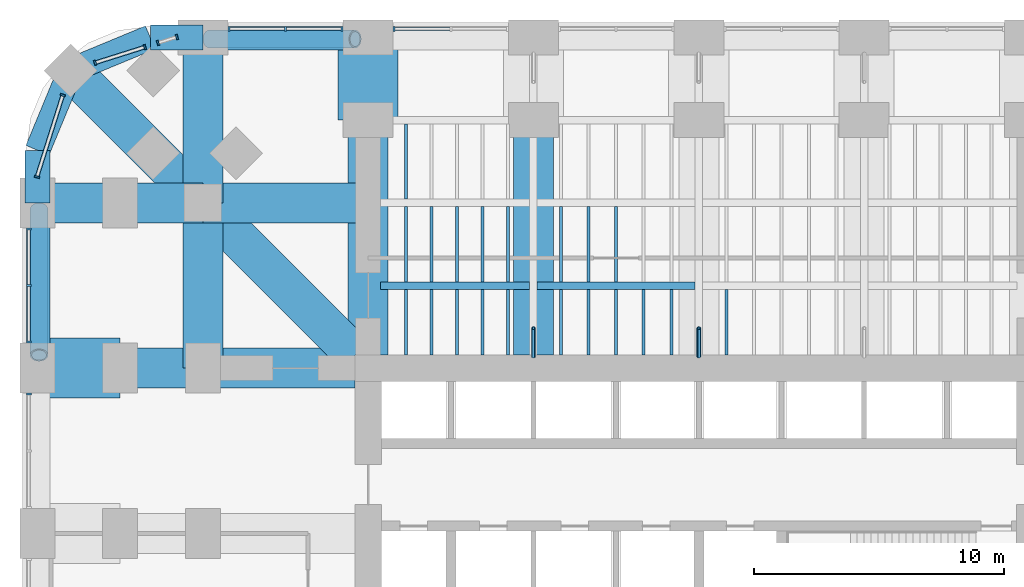
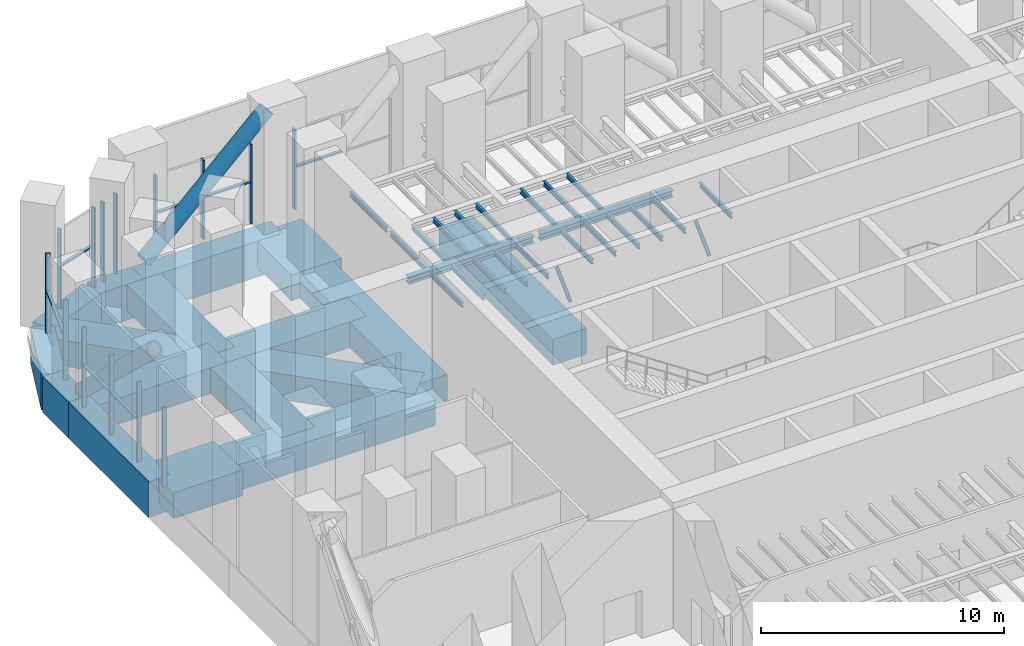
# One storey, part 7 of 17: 39 beams, 25 members, 7 elements without a shape of their own.
"""IFC4 building model written with IfcOpenShell, lengths in metres."""

from ifc_helpers import new_model, si_unit, direction, frame, origin, origin_2d, place, context, subcontext, project, spatial, rectangle, hollow_circle, i_section, extrude, material, material_profile, profile_set, type_object, element, aggregate, save


model = new_model("IFC4")

# Units and contexts
model_context = context("Model", 3, precision=1e-05, world=origin(), true_north=direction((0.0, 1.0)))
body_context = subcontext(model_context, "Body", "Model", "MODEL_VIEW")
ifc_project = project(units=[si_unit("LENGTHUNIT", "METRE"), si_unit("AREAUNIT", "SQUARE_METRE"), si_unit("VOLUMEUNIT", "CUBIC_METRE"), si_unit("PLANEANGLEUNIT", "RADIAN"), si_unit("MASSUNIT", "GRAM", prefix="KILO")], contexts=[model_context])

# Site, building, storey
site_placement = place(None, origin())
site = spatial("IfcSite", under=ifc_project, at=site_placement, CompositionType="ELEMENT")
building_placement = place(site_placement, origin())
building = spatial("IfcBuilding", under=site, at=building_placement, Name="Cobogo Forest Laboratory Tower", CompositionType="ELEMENT")
storey_placement = place(building_placement, frame((0.0, 0.0, 75.89990234375)))
storey = spatial("IfcBuildingStorey", under=building, at=storey_placement, Name="L17", CompositionType="ELEMENT", Elevation=75.89990234375)

# Members
ifc_material_1 = material(Name="Steel S460NH", Category="steel")
ifc_material_profile_1 = material_profile(ifc_material_1, hollow_circle(Radius=0.35546875, WallThickness=0.06005859375, at=origin_2d()), Name="CHS 711x60")
ifc_profile_set_1 = profile_set([ifc_material_profile_1], Name="Steel S460NH")
member_type_1 = type_object("IfcMemberType", Name="Belt truss diagonal CHS 711x60", PredefinedType="BRACE", material=ifc_profile_set_1)
for number, where, z_axis, x_axis, name in (
    (1, (6.85009765625, 46.139892578125, 0.23876953125), (0.723349354665, 0.0, 0.69048223084), (0.0, 1.0, 0.0), "BT1 belt truss diagonal N13 L17"),
    (2, (0.06005859375, 39.35009765625, 0.23876953125), (0.0, -0.723363796511, 0.690467101242), (1.0, 0.0, 0.0), "BT1 belt truss diagonal W24 L17"),
):
    element("IfcMember", number, at=place(storey_placement, frame(where, z_axis=z_axis, x_axis=x_axis)), inside=storey, type_object=member_type_1, Name=name, PredefinedType="BRACE", context=body_context, shape_type="SweptSolid", body=[
        extrude(hollow_circle(Radius=0.35546875, WallThickness=0.06005859375, at=origin_2d()), origin(), (0.0, 0.0, 1.0), 8.0595703125),
    ])

# Curtain wall, member
ifc_material_2 = material(Name="Aluminium curtain wall", Category="aluminium")
curtain_wall_type = type_object("IfcCurtainWallType", Name="CW-P louvred curtain wall, plant floors", PredefinedType="USERDEFINED", material=ifc_material_2)
curtain_wall_1_placement = place(storey_placement, origin())
curtain_wall_1 = element("IfcCurtainWall", 3, at=curtain_wall_1_placement, inside=storey, type_object=curtain_wall_type, Name="Curtain wall 22 L17", ObjectType="LOUVRED CURTAIN WALL", PredefinedType="USERDEFINED")
ifc_material_3 = material(Name="Aluminium mullion", Category="aluminium")
ifc_material_profile_2 = material_profile(ifc_material_3, rectangle(XDim=0.080078125, YDim=0.199951171875, at=origin_2d()), Name="AL 80x200")
ifc_profile_set_2 = profile_set([ifc_material_profile_2], Name="Aluminium mullion")
member_type_2 = type_object("IfcMemberType", Name="MU-3 aluminium louvre mullion 80x200", PredefinedType="MULLION", material=ifc_profile_set_2)
member_1_placement = place(storey_placement, frame((14.239990234375, 46.550048828125, 0.0), z_axis=(0.0, 0.0, 1.0), x_axis=(-1.0, 0.0, 0.0)))
member_1 = element("IfcMember", 4, at=member_1_placement, type_object=member_type_2, Name="CW-P mullion 3", PredefinedType="MULLION", context=body_context, shape_type="SweptSolid", body=[
    extrude(rectangle(XDim=0.080078125, YDim=0.199951171875, at=origin_2d()), origin(), (0.0, 0.0, 1.0), 4.0),
])

# Curtain wall, members
curtain_wall_2_placement = place(storey_placement, origin())
curtain_wall_2 = element("IfcCurtainWall", 5, at=curtain_wall_2_placement, inside=storey, type_object=curtain_wall_type, Name="Curtain wall 23 L17", ObjectType="LOUVRED CURTAIN WALL", PredefinedType="USERDEFINED")
member_2_placement = place(storey_placement, frame((12.159912109375, 46.550048828125, 0.0), z_axis=(0.0, 0.0, 1.0), x_axis=(-1.0, 0.0, 0.0)))
member_2 = element("IfcMember", 6, at=member_2_placement, type_object=member_type_2, Name="CW-P mullion 1", PredefinedType="MULLION", context=body_context, shape_type="SweptSolid", body=[
    extrude(rectangle(XDim=0.080078125, YDim=0.199951171875, at=origin_2d()), origin(), (0.0, 0.0, 1.0), 4.0),
])
member_3_placement = place(storey_placement, frame((9.89990234375, 46.550048828125, 0.0), z_axis=(0.0, 0.0, 1.0), x_axis=(-1.0, 0.0, 0.0)))
member_3 = element("IfcMember", 7, at=member_3_placement, type_object=member_type_2, Name="CW-P mullion 2", PredefinedType="MULLION", context=body_context, shape_type="SweptSolid", body=[
    extrude(rectangle(XDim=0.080078125, YDim=0.199951171875, at=origin_2d()), origin(), (0.0, 0.0, 1.0), 4.0),
])
member_4_placement = place(storey_placement, frame((7.639892578125, 46.550048828125, 0.0), z_axis=(0.0, 0.0, 1.0), x_axis=(-1.0, 0.0, 0.0)))
member_4 = element("IfcMember", 8, at=member_4_placement, type_object=member_type_2, Name="CW-P mullion 3", PredefinedType="MULLION", context=body_context, shape_type="SweptSolid", body=[
    extrude(rectangle(XDim=0.080078125, YDim=0.199951171875, at=origin_2d()), origin(), (0.0, 0.0, 1.0), 4.0),
])

curtain_wall_3_placement = place(storey_placement, origin())
curtain_wall_3 = element("IfcCurtainWall", 9, at=curtain_wall_3_placement, inside=storey, type_object=curtain_wall_type, Name="Curtain wall 24 L17", ObjectType="LOUVRED CURTAIN WALL", PredefinedType="USERDEFINED")
member_5_placement = place(storey_placement, frame((5.561767578125, 46.22216796875, 0.0), z_axis=(0.0, 0.0, 1.0), x_axis=(-0.953581151143, -0.301136162199, 0.0)))
member_5 = element("IfcMember", 10, at=member_5_placement, type_object=member_type_2, Name="CW-P mullion 1", PredefinedType="MULLION", context=body_context, shape_type="SweptSolid", body=[
    extrude(rectangle(XDim=0.080078125, YDim=0.199951171875, at=origin_2d()), origin(), (0.0, 0.0, 1.0), 4.0),
])
member_6_placement = place(storey_placement, frame((4.81005859375, 45.984619140625, 0.0), z_axis=(0.0, 0.0, 1.0), x_axis=(-0.953581151143, -0.301136162199, 0.0)))
member_6 = element("IfcMember", 11, at=member_6_placement, type_object=member_type_2, Name="CW-P mullion 2", PredefinedType="MULLION", context=body_context, shape_type="SweptSolid", body=[
    extrude(rectangle(XDim=0.080078125, YDim=0.199951171875, at=origin_2d()), origin(), (0.0, 0.0, 1.0), 4.0),
])
aggregate(curtain_wall_3, [member_5, member_6])

curtain_wall_4_placement = place(storey_placement, origin())
curtain_wall_4 = element("IfcCurtainWall", 12, at=curtain_wall_4_placement, inside=storey, type_object=curtain_wall_type, Name="Curtain wall 25 L17", ObjectType="LOUVRED CURTAIN WALL", PredefinedType="USERDEFINED")
member_7_placement = place(storey_placement, frame((4.2841796875, 45.818603515625, 0.0), z_axis=(0.0, 0.0, 1.0), x_axis=(-0.953581348836, -0.301135536184, 0.0)))
member_7 = element("IfcMember", 13, at=member_7_placement, type_object=member_type_2, Name="CW-P mullion 1", PredefinedType="MULLION", context=body_context, shape_type="SweptSolid", body=[
    extrude(rectangle(XDim=0.080078125, YDim=0.199951171875, at=origin_2d()), origin(), (0.0, 0.0, 1.0), 4.0),
])
member_8_placement = place(storey_placement, frame((2.302001953125, 45.192626953125, 0.0), z_axis=(0.0, 0.0, 1.0), x_axis=(-0.953581348836, -0.301135536184, 0.0)))
member_8 = element("IfcMember", 14, at=member_8_placement, type_object=member_type_2, Name="CW-P mullion 2", PredefinedType="MULLION", context=body_context, shape_type="SweptSolid", body=[
    extrude(rectangle(XDim=0.080078125, YDim=0.199951171875, at=origin_2d()), origin(), (0.0, 0.0, 1.0), 4.0),
])

curtain_wall_5_placement = place(storey_placement, origin())
curtain_wall_5 = element("IfcCurtainWall", 15, at=curtain_wall_5_placement, inside=storey, type_object=curtain_wall_type, Name="Curtain wall 26 L17", ObjectType="LOUVRED CURTAIN WALL", PredefinedType="USERDEFINED")
member_9_placement = place(storey_placement, frame((1.00732421875, 43.89794921875, 0.0), z_axis=(0.0, 0.0, 1.0), x_axis=(-0.301135635976, -0.953581317322, 0.0)))
member_9 = element("IfcMember", 16, at=member_9_placement, type_object=member_type_2, Name="CW-P mullion 1", PredefinedType="MULLION", context=body_context, shape_type="SweptSolid", body=[
    extrude(rectangle(XDim=0.080078125, YDim=0.199951171875, at=origin_2d()), origin(), (0.0, 0.0, 1.0), 4.0),
])
member_10_placement = place(storey_placement, frame((-0.022216796875, 40.63818359375, 0.0), z_axis=(0.0, 0.0, 1.0), x_axis=(-0.301135635976, -0.953581317322, 0.0)))
member_10 = element("IfcMember", 17, at=member_10_placement, type_object=member_type_2, Name="CW-P mullion 2", PredefinedType="MULLION", context=body_context, shape_type="SweptSolid", body=[
    extrude(rectangle(XDim=0.080078125, YDim=0.199951171875, at=origin_2d()), origin(), (0.0, 0.0, 1.0), 4.0),
])

curtain_wall_6_placement = place(storey_placement, origin())
curtain_wall_6 = element("IfcCurtainWall", 18, at=curtain_wall_6_placement, inside=storey, type_object=curtain_wall_type, Name="Curtain wall 27 L17", ObjectType="LOUVRED CURTAIN WALL", PredefinedType="USERDEFINED")
member_11_placement = place(storey_placement, frame((-0.35009765625, 38.56005859375, 0.0), z_axis=(0.0, 0.0, 1.0), x_axis=(0.0, -1.0, 0.0)))
member_11 = element("IfcMember", 19, at=member_11_placement, type_object=member_type_2, Name="CW-P mullion 1", PredefinedType="MULLION", context=body_context, shape_type="SweptSolid", body=[
    extrude(rectangle(XDim=0.080078125, YDim=0.199951171875, at=origin_2d()), origin(), (0.0, 0.0, 1.0), 4.0),
])
member_12_placement = place(storey_placement, frame((-0.35009765625, 36.300048828125, 0.0), z_axis=(0.0, 0.0, 1.0), x_axis=(0.0, -1.0, 0.0)))
member_12 = element("IfcMember", 20, at=member_12_placement, type_object=member_type_2, Name="CW-P mullion 2", PredefinedType="MULLION", context=body_context, shape_type="SweptSolid", body=[
    extrude(rectangle(XDim=0.080078125, YDim=0.199951171875, at=origin_2d()), origin(), (0.0, 0.0, 1.0), 4.0),
])
member_13_placement = place(storey_placement, frame((-0.35009765625, 34.0400390625, 0.0), z_axis=(0.0, 0.0, 1.0), x_axis=(0.0, -1.0, 0.0)))
member_13 = element("IfcMember", 21, at=member_13_placement, type_object=member_type_2, Name="CW-P mullion 3", PredefinedType="MULLION", context=body_context, shape_type="SweptSolid", body=[
    extrude(rectangle(XDim=0.080078125, YDim=0.199951171875, at=origin_2d()), origin(), (0.0, 0.0, 1.0), 4.0),
])

# Curtain wall, member
curtain_wall_7_placement = place(storey_placement, origin())
curtain_wall_7 = element("IfcCurtainWall", 22, at=curtain_wall_7_placement, inside=storey, type_object=curtain_wall_type, Name="Curtain wall 28 L17", ObjectType="LOUVRED CURTAIN WALL", PredefinedType="USERDEFINED")
member_14_placement = place(storey_placement, frame((-0.35009765625, 31.9599609375, 0.0), z_axis=(0.0, 0.0, 1.0), x_axis=(0.0, -1.0, 0.0)))
member_14 = element("IfcMember", 23, at=member_14_placement, type_object=member_type_2, Name="CW-P mullion 1", PredefinedType="MULLION", context=body_context, shape_type="SweptSolid", body=[
    extrude(rectangle(XDim=0.080078125, YDim=0.199951171875, at=origin_2d()), origin(), (0.0, 0.0, 1.0), 4.0),
])
aggregate(curtain_wall_7, [member_14])

# Beams
ifc_material_4 = material(Name="Concrete HA-40 (C40/50)", Category="concrete")
ifc_material_profile_3 = material_profile(ifc_material_4, rectangle(XDim=1.60009765625, YDim=1.300048828125, at=origin_2d()), Name="RC 1600x1300")
ifc_profile_set_3 = profile_set([ifc_material_profile_3], Name="Concrete HA-40 (C40/50)")
beam_type_1 = type_object("IfcBeamType", Name="Plant and roof garden wide beam 1600x1300", PredefinedType="BEAM", material=ifc_profile_set_3)
for number, where, z_axis, x_axis, name in (
    (24, (13.199951171875, 33.52490234375, -1.0), (0.0, 1.0, 0.0), (-1.0, 0.0, 0.0), "RB4 R-3-N L17"),
    (25, (19.800048828125, 33.52490234375, -1.0), (0.0, 1.0, 0.0), (-1.0, 0.0, 0.0), "RB4 R-4-N L17"),
    (26, (12.675048828125, 33.0, -1.0), (-1.0, 0.0, 0.0), (0.0, -1.0, 0.0), "RB4 R-F-W L17"),
):
    element("IfcBeam", number, at=place(storey_placement, frame(where, z_axis=z_axis, x_axis=x_axis)), inside=storey, type_object=beam_type_1, Name=name, PredefinedType="BEAM", context=body_context, shape_type="SweptSolid", body=[
        extrude(rectangle(XDim=1.60009765625, YDim=1.300048828125, at=origin_2d()), origin(), (0.0, 0.0, 1.0), 9.375),
    ])
beam_1_placement = place(storey_placement, frame((6.60009765625, 46.199951171875, -1.0), z_axis=(0.0, -1.0, 0.0), x_axis=(1.0, 0.0, 0.0)))
element("IfcBeam", 27, at=beam_1_placement, inside=storey, type_object=beam_type_1, Name="RB4 G-NW-XF L17", PredefinedType="BEAM", context=body_context, shape_type="SweptSolid", body=[
    extrude(rectangle(XDim=1.60009765625, YDim=1.300048828125, at=origin_2d()), origin(), (0.0, 0.0, 1.0), 6.599853515625),
])
for number, where, z_axis, x_axis, name in (
    (28, (6.60009765625, 39.60009765625, -1.0), (0.0, -1.0, 0.0), (1.0, 0.0, 0.0), "RB4 G-NW-XC L17"),
    (29, (0.0, 39.60009765625, -1.0), (1.0, 0.0, 0.0), (0.0, 1.0, 0.0), "RB4 G-NW-YF L17"),
):
    element("IfcBeam", number, at=place(storey_placement, frame(where, z_axis=z_axis, x_axis=x_axis)), inside=storey, type_object=beam_type_1, Name=name, PredefinedType="BEAM", context=body_context, shape_type="SweptSolid", body=[
        extrude(rectangle(XDim=1.60009765625, YDim=1.300048828125, at=origin_2d()), origin(), (0.0, 0.0, 1.0), 6.60009765625),
    ])
beam_2_placement = place(storey_placement, frame((6.60009765625, 39.60009765625, -1.0), z_axis=(1.0, 0.0, 0.0), x_axis=(0.0, 1.0, 0.0)))
element("IfcBeam", 30, at=beam_2_placement, inside=storey, type_object=beam_type_1, Name="RB4 G-NW-YC L17", PredefinedType="BEAM", context=body_context, shape_type="SweptSolid", body=[
    extrude(rectangle(XDim=1.60009765625, YDim=1.300048828125, at=origin_2d()), origin(), (0.0, 0.0, 1.0), 6.599853515625),
])
beam_3_placement = place(storey_placement, frame((1.318115234375, 44.882080078125, -1.0), z_axis=(0.707106781187, -0.707106781187, 0.0), x_axis=(0.707106781187, 0.707106781187, 0.0)))
element("IfcBeam", 31, at=beam_3_placement, inside=storey, type_object=beam_type_1, Name="RB4 G-NW-D1 L17", PredefinedType="BEAM", context=body_context, shape_type="SweptSolid", body=[
    extrude(rectangle(XDim=1.60009765625, YDim=1.300048828125, at=origin_2d()), origin(), (0.0, 0.0, 1.0), 7.469970703125),
])
beam_4_placement = place(storey_placement, frame((6.60009765625, 39.60009765625, -1.0), z_axis=(0.707092572697, -0.70712098939, 0.0), x_axis=(0.70712098939, 0.707092572697, 0.0)))
element("IfcBeam", 32, at=beam_4_placement, inside=storey, type_object=beam_type_1, Name="RB4 G-NW-D2 L17", PredefinedType="BEAM", context=body_context, shape_type="SweptSolid", body=[
    extrude(rectangle(XDim=1.60009765625, YDim=1.300048828125, at=origin_2d()), origin(), (0.0, 0.0, 1.0), 8.591552734375),
])
ifc_material_5 = material(Name="Concrete HA-50 (C50/60)", Category="concrete")
ifc_material_profile_4 = material_profile(ifc_material_5, rectangle(XDim=2.39990234375, YDim=1.300048828125, at=origin_2d()), Name="RC 2400x1300")
ifc_profile_set_4 = profile_set([ifc_material_profile_4], Name="Concrete HA-50 (C50/60)")
beam_type_2 = type_object("IfcBeamType", Name="Plant floor end-bay beam 2400x1300", PredefinedType="BEAM", material=ifc_profile_set_4)
for number, where, z_axis, x_axis, name in (
    (33, (13.199951171875, 46.199951171875, -1.0), (0.0, -1.0, 0.0), (1.0, 0.0, 0.0), "RB6 R-3-N-X L17"),
    (34, (0.0, 33.0, -1.0), (1.0, 0.0, 0.0), (0.0, 1.0, 0.0), "RB6 R-F-W-X L17"),
):
    element("IfcBeam", number, at=place(storey_placement, frame(where, z_axis=z_axis, x_axis=x_axis)), inside=storey, type_object=beam_type_2, Name=name, PredefinedType="BEAM", context=body_context, shape_type="SweptSolid", body=[
        extrude(rectangle(XDim=2.39990234375, YDim=1.300048828125, at=origin_2d()), origin(), (0.0, 0.0, 1.0), 3.300048828125),
    ])
ifc_material_profile_5 = material_profile(ifc_material_4, rectangle(XDim=1.0, YDim=1.800048828125, at=origin_2d()), Name="RC 1000x1800")
ifc_profile_set_5 = profile_set([ifc_material_profile_5], Name="Concrete HA-40 (C40/50)")
beam_type_3 = type_object("IfcBeamType", Name="Plant floor perimeter girder 1000x1800", PredefinedType="BEAM", material=ifc_profile_set_5)
beam_5_placement = place(storey_placement, frame((6.60009765625, 46.199951171875, -1.25), z_axis=(1.0, 0.0, 0.0), x_axis=(0.0, 1.0, 0.0)))
element("IfcBeam", 35, at=beam_5_placement, inside=storey, type_object=beam_type_3, Name="TG1 E-N1 L17", PredefinedType="BEAM", context=body_context, shape_type="SweptSolid", body=[
    extrude(rectangle(XDim=1.0, YDim=1.800048828125, at=origin_2d()), origin(), (0.0, 0.0, 1.0), 6.599853515625),
])
beam_6_placement = place(storey_placement, frame((0.0, 33.0, -1.25), z_axis=(0.0, 1.0, 0.0), x_axis=(-1.0, 0.0, 0.0)))
element("IfcBeam", 36, at=beam_6_placement, inside=storey, type_object=beam_type_3, Name="TG1 E-W5 L17", PredefinedType="BEAM", context=body_context, shape_type="SweptSolid", body=[
    extrude(rectangle(XDim=1.0, YDim=1.800048828125, at=origin_2d()), origin(), (0.0, 0.0, 1.0), 6.60009765625),
])
beam_7_placement = place(storey_placement, frame((6.60009765625, 46.199951171875, -1.25), z_axis=(-1.0, 0.0, 0.0), x_axis=(0.0, -1.0, 0.0)))
element("IfcBeam", 37, at=beam_7_placement, inside=storey, type_object=beam_type_3, Name="TG1 E-NWN1 L17", PredefinedType="BEAM", context=body_context, shape_type="SweptSolid", body=[
    extrude(rectangle(XDim=1.0, YDim=1.800048828125, at=origin_2d()), origin(), (0.0, 0.0, 1.0), 2.10009765625),
])
beam_8_placement = place(storey_placement, frame((4.5, 46.199951171875, -1.25), z_axis=(-0.923890694089, -0.382656484822, 0.0), x_axis=(0.382656484822, -0.923890694089, 0.0)))
element("IfcBeam", 38, at=beam_8_placement, inside=storey, type_object=beam_type_3, Name="TG1 E-NWN2 L17", PredefinedType="BEAM", context=body_context, shape_type="SweptSolid", body=[
    extrude(rectangle(XDim=1.0, YDim=1.800048828125, at=origin_2d()), origin(), (0.0, 0.0, 1.0), 3.444091796875),
])
beam_9_placement = place(storey_placement, frame((0.0, 39.60009765625, -1.25), z_axis=(0.0, 1.0, 0.0), x_axis=(-1.0, 0.0, 0.0)))
element("IfcBeam", 39, at=beam_9_placement, inside=storey, type_object=beam_type_3, Name="TG1 E-NWW1 L17", PredefinedType="BEAM", context=body_context, shape_type="SweptSolid", body=[
    extrude(rectangle(XDim=1.0, YDim=1.800048828125, at=origin_2d()), origin(), (0.0, 0.0, 1.0), 2.099853515625),
])
beam_10_placement = place(storey_placement, frame((0.0, 41.699951171875, -1.25), z_axis=(0.382691928466, 0.923876013265, 0.0), x_axis=(-0.923876013265, 0.382691928466, 0.0)))
element("IfcBeam", 40, at=beam_10_placement, inside=storey, type_object=beam_type_3, Name="TG1 E-NWW2 L17", PredefinedType="BEAM", context=body_context, shape_type="SweptSolid", body=[
    extrude(rectangle(XDim=1.0, YDim=1.800048828125, at=origin_2d()), origin(), (0.0, 0.0, 1.0), 3.4443359375),
])

# Members
ifc_material_6 = material(Name="Steel S355", Category="steel")
ifc_material_profile_6 = material_profile(ifc_material_6, hollow_circle(Radius=0.084228515625, WallThickness=0.008056640625, at=origin_2d()), Name="CHS 168.3x8")
ifc_profile_set_6 = profile_set([ifc_material_profile_6], Name="Steel S355")
member_type_3 = type_object("IfcMemberType", Name="Plant knee brace CHS 168.3x8", PredefinedType="BRACE", material=ifc_profile_set_6)
for number, where, z_axis, x_axis, name in (
    (41, (19.800048828125, 33.465576171875, 1.300048828125), (0.0, 0.727221301203, 0.686403073329), (-1.0, 0.0, 0.0), "PX1 AHU-N knee brace 4-2 L17"),
    (42, (26.39990234375, 33.465576171875, 1.300048828125), (0.0, 0.727221301203, 0.686403073329), (-1.0, 0.0, 0.0), "PX1 AHU-N knee brace 5-2 L17"),
):
    element("IfcMember", number, at=place(storey_placement, frame(where, z_axis=z_axis, x_axis=x_axis)), inside=storey, type_object=member_type_3, Name=name, PredefinedType="BRACE", context=body_context, shape_type="SweptSolid", body=[
        extrude(hollow_circle(Radius=0.084228515625, WallThickness=0.008056640625, at=origin_2d()), origin(), (0.0, 0.0, 1.0), 1.56103515625),
    ])

# Beams
ifc_material_profile_7 = material_profile(ifc_material_6, i_section(OverallWidth=0.300048828125, OverallDepth=0.330078125, WebThickness=0.009521484375, FlangeThickness=0.0166015625, FilletRadius=0.027099609375, at=origin_2d()), Name="HEA 340")
ifc_profile_set_7 = profile_set([ifc_material_profile_7], Name="Steel S355")
beam_type_4 = type_object("IfcBeamType", Name="Plant platform beam HEA 340", PredefinedType="BEAM", material=ifc_profile_set_7)
beam_11_placement = place(storey_placement, frame((13.699951171875, 36.300048828125, 2.835205078125), z_axis=(1.0, 0.0, 0.0), x_axis=(0.0, 1.0, 0.0)))
element("IfcBeam", 43, at=beam_11_placement, inside=storey, type_object=beam_type_4, Name="PB1 AHU-N platform beam 1 at 9900 L17", PredefinedType="BEAM", context=body_context, shape_type="SweptSolid", body=[
    extrude(i_section(OverallWidth=0.300048828125, OverallDepth=0.330078125, WebThickness=0.009521484375, FlangeThickness=0.0166015625, FilletRadius=0.027099609375, at=origin_2d()), origin(), (0.0, 0.0, 1.0), 5.949951171875),
])
beam_12_placement = place(storey_placement, frame((19.949951171875, 36.300048828125, 2.835205078125), z_axis=(1.0, 0.0, 0.0), x_axis=(0.0, 1.0, 0.0)))
element("IfcBeam", 44, at=beam_12_placement, inside=storey, type_object=beam_type_4, Name="PB1 AHU-N platform beam 2 at 9900 L17", PredefinedType="BEAM", context=body_context, shape_type="SweptSolid", body=[
    extrude(i_section(OverallWidth=0.300048828125, OverallDepth=0.330078125, WebThickness=0.009521484375, FlangeThickness=0.0166015625, FilletRadius=0.027099609375, at=origin_2d()), origin(), (0.0, 0.0, 1.0), 6.300048828125),
])
ifc_material_profile_8 = material_profile(ifc_material_6, i_section(OverallWidth=0.1201171875, OverallDepth=0.239990234375, WebThickness=0.006103515625, FlangeThickness=0.009765625, FilletRadius=0.014892578125, at=origin_2d()), Name="IPE 240")
ifc_profile_set_8 = profile_set([ifc_material_profile_8], Name="Steel S355")
beam_type_5 = type_object("IfcBeamType", Name="Plant platform joist IPE 240", PredefinedType="JOIST", material=ifc_profile_set_8)
for number, where, z_axis, x_axis, name in (
    (45, (14.716552734375, 42.75, 2.880126953125), (0.0, -1.0, 0.0), (1.0, 0.0, 0.0), "PJ1 AHU-N joist 1.1 row 1 L17"),
    (46, (14.716552734375, 39.449951171875, 2.880126953125), (0.0, -1.0, 0.0), (1.0, 0.0, 0.0), "PJ1 AHU-N joist 1.1 row 2 L17"),
):
    element("IfcBeam", number, at=place(storey_placement, frame(where, z_axis=z_axis, x_axis=x_axis)), inside=storey, type_object=beam_type_5, Name=name, PredefinedType="JOIST", context=body_context, shape_type="SweptSolid", body=[
        extrude(i_section(OverallWidth=0.1201171875, OverallDepth=0.239990234375, WebThickness=0.006103515625, FlangeThickness=0.009765625, FilletRadius=0.014892578125, at=origin_2d()), origin(), (0.0, 0.0, 1.0), 3.0),
    ])
beam_13_placement = place(storey_placement, frame((14.716552734375, 36.14990234375, 2.880126953125), z_axis=(0.0, -1.0, 0.0), x_axis=(1.0, 0.0, 0.0)))
element("IfcBeam", 47, at=beam_13_placement, inside=storey, type_object=beam_type_5, Name="PJ1 AHU-N joist 1.1 row 3 L17", PredefinedType="JOIST", context=body_context, shape_type="SweptSolid", body=[
    extrude(i_section(OverallWidth=0.1201171875, OverallDepth=0.239990234375, WebThickness=0.006103515625, FlangeThickness=0.009765625, FilletRadius=0.014892578125, at=origin_2d()), origin(), (0.0, 0.0, 1.0), 2.625),
])
beam_14_placement = place(storey_placement, frame((15.7333984375, 39.449951171875, 2.880126953125), z_axis=(0.0, -1.0, 0.0), x_axis=(1.0, 0.0, 0.0)))
element("IfcBeam", 48, at=beam_14_placement, inside=storey, type_object=beam_type_5, Name="PJ1 AHU-N joist 1.2 row 2 L17", PredefinedType="JOIST", context=body_context, shape_type="SweptSolid", body=[
    extrude(i_section(OverallWidth=0.1201171875, OverallDepth=0.239990234375, WebThickness=0.006103515625, FlangeThickness=0.009765625, FilletRadius=0.014892578125, at=origin_2d()), origin(), (0.0, 0.0, 1.0), 3.0),
])
beam_15_placement = place(storey_placement, frame((15.7333984375, 36.14990234375, 2.880126953125), z_axis=(0.0, -1.0, 0.0), x_axis=(1.0, 0.0, 0.0)))
element("IfcBeam", 49, at=beam_15_placement, inside=storey, type_object=beam_type_5, Name="PJ1 AHU-N joist 1.2 row 3 L17", PredefinedType="JOIST", context=body_context, shape_type="SweptSolid", body=[
    extrude(i_section(OverallWidth=0.1201171875, OverallDepth=0.239990234375, WebThickness=0.006103515625, FlangeThickness=0.009765625, FilletRadius=0.014892578125, at=origin_2d()), origin(), (0.0, 0.0, 1.0), 2.625),
])
beam_16_placement = place(storey_placement, frame((16.75, 39.449951171875, 2.880126953125), z_axis=(0.0, -1.0, 0.0), x_axis=(1.0, 0.0, 0.0)))
element("IfcBeam", 50, at=beam_16_placement, inside=storey, type_object=beam_type_5, Name="PJ1 AHU-N joist 1.3 row 2 L17", PredefinedType="JOIST", context=body_context, shape_type="SweptSolid", body=[
    extrude(i_section(OverallWidth=0.1201171875, OverallDepth=0.239990234375, WebThickness=0.006103515625, FlangeThickness=0.009765625, FilletRadius=0.014892578125, at=origin_2d()), origin(), (0.0, 0.0, 1.0), 3.0),
])
beam_17_placement = place(storey_placement, frame((16.75, 36.14990234375, 2.880126953125), z_axis=(0.0, -1.0, 0.0), x_axis=(1.0, 0.0, 0.0)))
element("IfcBeam", 51, at=beam_17_placement, inside=storey, type_object=beam_type_5, Name="PJ1 AHU-N joist 1.3 row 3 L17", PredefinedType="JOIST", context=body_context, shape_type="SweptSolid", body=[
    extrude(i_section(OverallWidth=0.1201171875, OverallDepth=0.239990234375, WebThickness=0.006103515625, FlangeThickness=0.009765625, FilletRadius=0.014892578125, at=origin_2d()), origin(), (0.0, 0.0, 1.0), 2.625),
])
beam_18_placement = place(storey_placement, frame((17.7666015625, 39.449951171875, 2.880126953125), z_axis=(0.0, -1.0, 0.0), x_axis=(1.0, 0.0, 0.0)))
element("IfcBeam", 52, at=beam_18_placement, inside=storey, type_object=beam_type_5, Name="PJ1 AHU-N joist 1.4 row 2 L17", PredefinedType="JOIST", context=body_context, shape_type="SweptSolid", body=[
    extrude(i_section(OverallWidth=0.1201171875, OverallDepth=0.239990234375, WebThickness=0.006103515625, FlangeThickness=0.009765625, FilletRadius=0.014892578125, at=origin_2d()), origin(), (0.0, 0.0, 1.0), 3.0),
])
beam_19_placement = place(storey_placement, frame((17.7666015625, 36.14990234375, 2.880126953125), z_axis=(0.0, -1.0, 0.0), x_axis=(1.0, 0.0, 0.0)))
element("IfcBeam", 53, at=beam_19_placement, inside=storey, type_object=beam_type_5, Name="PJ1 AHU-N joist 1.4 row 3 L17", PredefinedType="JOIST", context=body_context, shape_type="SweptSolid", body=[
    extrude(i_section(OverallWidth=0.1201171875, OverallDepth=0.239990234375, WebThickness=0.006103515625, FlangeThickness=0.009765625, FilletRadius=0.014892578125, at=origin_2d()), origin(), (0.0, 0.0, 1.0), 2.625),
])
beam_20_placement = place(storey_placement, frame((18.783447265625, 39.449951171875, 2.880126953125), z_axis=(0.0, -1.0, 0.0), x_axis=(1.0, 0.0, 0.0)))
element("IfcBeam", 54, at=beam_20_placement, inside=storey, type_object=beam_type_5, Name="PJ1 AHU-N joist 1.5 row 2 L17", PredefinedType="JOIST", context=body_context, shape_type="SweptSolid", body=[
    extrude(i_section(OverallWidth=0.1201171875, OverallDepth=0.239990234375, WebThickness=0.006103515625, FlangeThickness=0.009765625, FilletRadius=0.014892578125, at=origin_2d()), origin(), (0.0, 0.0, 1.0), 3.0),
])
beam_21_placement = place(storey_placement, frame((18.783447265625, 36.14990234375, 2.880126953125), z_axis=(0.0, -1.0, 0.0), x_axis=(1.0, 0.0, 0.0)))
element("IfcBeam", 55, at=beam_21_placement, inside=storey, type_object=beam_type_5, Name="PJ1 AHU-N joist 1.5 row 3 L17", PredefinedType="JOIST", context=body_context, shape_type="SweptSolid", body=[
    extrude(i_section(OverallWidth=0.1201171875, OverallDepth=0.239990234375, WebThickness=0.006103515625, FlangeThickness=0.009765625, FilletRadius=0.014892578125, at=origin_2d()), origin(), (0.0, 0.0, 1.0), 2.625),
])
beam_22_placement = place(storey_placement, frame((20.89990234375, 39.449951171875, 2.880126953125), z_axis=(0.0, -1.0, 0.0), x_axis=(1.0, 0.0, 0.0)))
element("IfcBeam", 56, at=beam_22_placement, inside=storey, type_object=beam_type_5, Name="PJ1 AHU-N joist 2.1 row 2 L17", PredefinedType="JOIST", context=body_context, shape_type="SweptSolid", body=[
    extrude(i_section(OverallWidth=0.1201171875, OverallDepth=0.239990234375, WebThickness=0.006103515625, FlangeThickness=0.009765625, FilletRadius=0.014892578125, at=origin_2d()), origin(), (0.0, 0.0, 1.0), 3.0),
])
beam_23_placement = place(storey_placement, frame((20.89990234375, 36.14990234375, 2.880126953125), z_axis=(0.0, -1.0, 0.0), x_axis=(1.0, 0.0, 0.0)))
element("IfcBeam", 57, at=beam_23_placement, inside=storey, type_object=beam_type_5, Name="PJ1 AHU-N joist 2.1 row 3 L17", PredefinedType="JOIST", context=body_context, shape_type="SweptSolid", body=[
    extrude(i_section(OverallWidth=0.1201171875, OverallDepth=0.239990234375, WebThickness=0.006103515625, FlangeThickness=0.009765625, FilletRadius=0.014892578125, at=origin_2d()), origin(), (0.0, 0.0, 1.0), 2.625),
])
beam_24_placement = place(storey_placement, frame((22.0, 39.449951171875, 2.880126953125), z_axis=(0.0, -1.0, 0.0), x_axis=(1.0, 0.0, 0.0)))
element("IfcBeam", 58, at=beam_24_placement, inside=storey, type_object=beam_type_5, Name="PJ1 AHU-N joist 2.2 row 2 L17", PredefinedType="JOIST", context=body_context, shape_type="SweptSolid", body=[
    extrude(i_section(OverallWidth=0.1201171875, OverallDepth=0.239990234375, WebThickness=0.006103515625, FlangeThickness=0.009765625, FilletRadius=0.014892578125, at=origin_2d()), origin(), (0.0, 0.0, 1.0), 3.0),
])
beam_25_placement = place(storey_placement, frame((22.0, 36.14990234375, 2.880126953125), z_axis=(0.0, -1.0, 0.0), x_axis=(1.0, 0.0, 0.0)))
element("IfcBeam", 59, at=beam_25_placement, inside=storey, type_object=beam_type_5, Name="PJ1 AHU-N joist 2.2 row 3 L17", PredefinedType="JOIST", context=body_context, shape_type="SweptSolid", body=[
    extrude(i_section(OverallWidth=0.1201171875, OverallDepth=0.239990234375, WebThickness=0.006103515625, FlangeThickness=0.009765625, FilletRadius=0.014892578125, at=origin_2d()), origin(), (0.0, 0.0, 1.0), 2.625),
])
beam_26_placement = place(storey_placement, frame((23.10009765625, 39.449951171875, 2.880126953125), z_axis=(0.0, -1.0, 0.0), x_axis=(1.0, 0.0, 0.0)))
element("IfcBeam", 60, at=beam_26_placement, inside=storey, type_object=beam_type_5, Name="PJ1 AHU-N joist 2.3 row 2 L17", PredefinedType="JOIST", context=body_context, shape_type="SweptSolid", body=[
    extrude(i_section(OverallWidth=0.1201171875, OverallDepth=0.239990234375, WebThickness=0.006103515625, FlangeThickness=0.009765625, FilletRadius=0.014892578125, at=origin_2d()), origin(), (0.0, 0.0, 1.0), 3.0),
])
for number, where, z_axis, x_axis, name in (
    (61, (23.10009765625, 36.14990234375, 2.880126953125), (0.0, -1.0, 0.0), (1.0, 0.0, 0.0), "PJ1 AHU-N joist 2.3 row 3 L17"),
    (62, (24.199951171875, 36.14990234375, 2.880126953125), (0.0, -1.0, 0.0), (1.0, 0.0, 0.0), "PJ1 AHU-N joist 2.4 row 3 L17"),
    (63, (25.300048828125, 36.14990234375, 2.880126953125), (0.0, -1.0, 0.0), (1.0, 0.0, 0.0), "PJ1 AHU-N joist 2.5 row 3 L17"),
    (64, (27.5, 36.14990234375, 2.880126953125), (0.0, -1.0, 0.0), (1.0, 0.0, 0.0), "PJ1 AHU-N joist 3.1 row 3 L17"),
):
    element("IfcBeam", number, at=place(storey_placement, frame(where, z_axis=z_axis, x_axis=x_axis)), inside=storey, type_object=beam_type_5, Name=name, PredefinedType="JOIST", context=body_context, shape_type="SweptSolid", body=[
        extrude(i_section(OverallWidth=0.1201171875, OverallDepth=0.239990234375, WebThickness=0.006103515625, FlangeThickness=0.009765625, FilletRadius=0.014892578125, at=origin_2d()), origin(), (0.0, 0.0, 1.0), 2.625),
    ])

# Member
ifc_material_7 = material(Name="Aluminium transom", Category="aluminium")
ifc_material_profile_9 = material_profile(ifc_material_7, rectangle(XDim=0.14990234375, YDim=0.080078125, at=origin_2d()), Name="AL 80x150")
ifc_profile_set_9 = profile_set([ifc_material_profile_9], Name="Aluminium transom")
member_type_4 = type_object("IfcMemberType", Name="TR-2 aluminium louvre transom 80x150", PredefinedType="USERDEFINED", material=ifc_profile_set_9)
member_15_placement = place(storey_placement, frame((16.4599609375, 46.550048828125, 2.10009765625), z_axis=(-1.0, 0.0, 0.0), x_axis=(0.0, -1.0, 0.0)))
member_15 = element("IfcMember", 65, at=member_15_placement, type_object=member_type_4, Name="CW-P transom 2.1", ObjectType="TRANSOM", PredefinedType="USERDEFINED", context=body_context, shape_type="SweptSolid", body=[
    extrude(rectangle(XDim=0.14990234375, YDim=0.080078125, at=origin_2d()), origin(), (0.0, 0.0, 1.0), 2.179931640625),
])

aggregate(curtain_wall_1, [member_1, member_15])

member_16_placement = place(storey_placement, frame((12.1201171875, 46.550048828125, 2.10009765625), z_axis=(-1.0, 0.0, 0.0), x_axis=(0.0, -1.0, 0.0)))
member_16 = element("IfcMember", 66, at=member_16_placement, type_object=member_type_4, Name="CW-P transom 1.1", ObjectType="TRANSOM", PredefinedType="USERDEFINED", context=body_context, shape_type="SweptSolid", body=[
    extrude(rectangle(XDim=0.14990234375, YDim=0.080078125, at=origin_2d()), origin(), (0.0, 0.0, 1.0), 2.18017578125),
])

member_17_placement = place(storey_placement, frame((9.860107421875, 46.550048828125, 2.10009765625), z_axis=(-1.0, 0.0, 0.0), x_axis=(0.0, -1.0, 0.0)))
member_17 = element("IfcMember", 67, at=member_17_placement, type_object=member_type_4, Name="CW-P transom 2.1", ObjectType="TRANSOM", PredefinedType="USERDEFINED", context=body_context, shape_type="SweptSolid", body=[
    extrude(rectangle(XDim=0.14990234375, YDim=0.080078125, at=origin_2d()), origin(), (0.0, 0.0, 1.0), 2.18017578125),
])

aggregate(curtain_wall_2, [member_2, member_3, member_4, member_16, member_17])

member_18_placement = place(storey_placement, frame((4.245849609375, 45.806640625, 2.10009765625), z_axis=(-0.95358451137, -0.301125521461, 0.0), x_axis=(0.301125521461, -0.95358451137, 0.0)))
member_18 = element("IfcMember", 68, at=member_18_placement, type_object=member_type_4, Name="CW-P transom 1.1", ObjectType="TRANSOM", PredefinedType="USERDEFINED", context=body_context, shape_type="SweptSolid", body=[
    extrude(rectangle(XDim=0.14990234375, YDim=0.080078125, at=origin_2d()), origin(), (0.0, 0.0, 1.0), 1.99853515625),
])

aggregate(curtain_wall_4, [member_7, member_8, member_18])

member_19_placement = place(storey_placement, frame((0.995361328125, 43.85986328125, 2.10009765625), z_axis=(-0.301138367523, -0.95358045471, 0.0), x_axis=(0.95358045471, -0.301138367523, 0.0)))
member_19 = element("IfcMember", 69, at=member_19_placement, type_object=member_type_4, Name="CW-P transom 1.1", ObjectType="TRANSOM", PredefinedType="USERDEFINED", context=body_context, shape_type="SweptSolid", body=[
    extrude(rectangle(XDim=0.14990234375, YDim=0.080078125, at=origin_2d()), origin(), (0.0, 0.0, 1.0), 3.338623046875),
])

aggregate(curtain_wall_5, [member_9, member_10, member_19])

member_20_placement = place(storey_placement, frame((-0.35009765625, 38.52001953125, 2.10009765625), z_axis=(0.0, -1.0, 0.0), x_axis=(1.0, 0.0, 0.0)))
member_20 = element("IfcMember", 70, at=member_20_placement, type_object=member_type_4, Name="CW-P transom 1.1", ObjectType="TRANSOM", PredefinedType="USERDEFINED", context=body_context, shape_type="SweptSolid", body=[
    extrude(rectangle(XDim=0.14990234375, YDim=0.080078125, at=origin_2d()), origin(), (0.0, 0.0, 1.0), 2.179931640625),
])

member_21_placement = place(storey_placement, frame((-0.35009765625, 36.260009765625, 2.10009765625), z_axis=(0.0, -1.0, 0.0), x_axis=(1.0, 0.0, 0.0)))
member_21 = element("IfcMember", 71, at=member_21_placement, type_object=member_type_4, Name="CW-P transom 2.1", ObjectType="TRANSOM", PredefinedType="USERDEFINED", context=body_context, shape_type="SweptSolid", body=[
    extrude(rectangle(XDim=0.14990234375, YDim=0.080078125, at=origin_2d()), origin(), (0.0, 0.0, 1.0), 2.179931640625),
])

aggregate(curtain_wall_6, [member_11, member_12, member_13, member_20, member_21])

save(model, "model.ifc")
